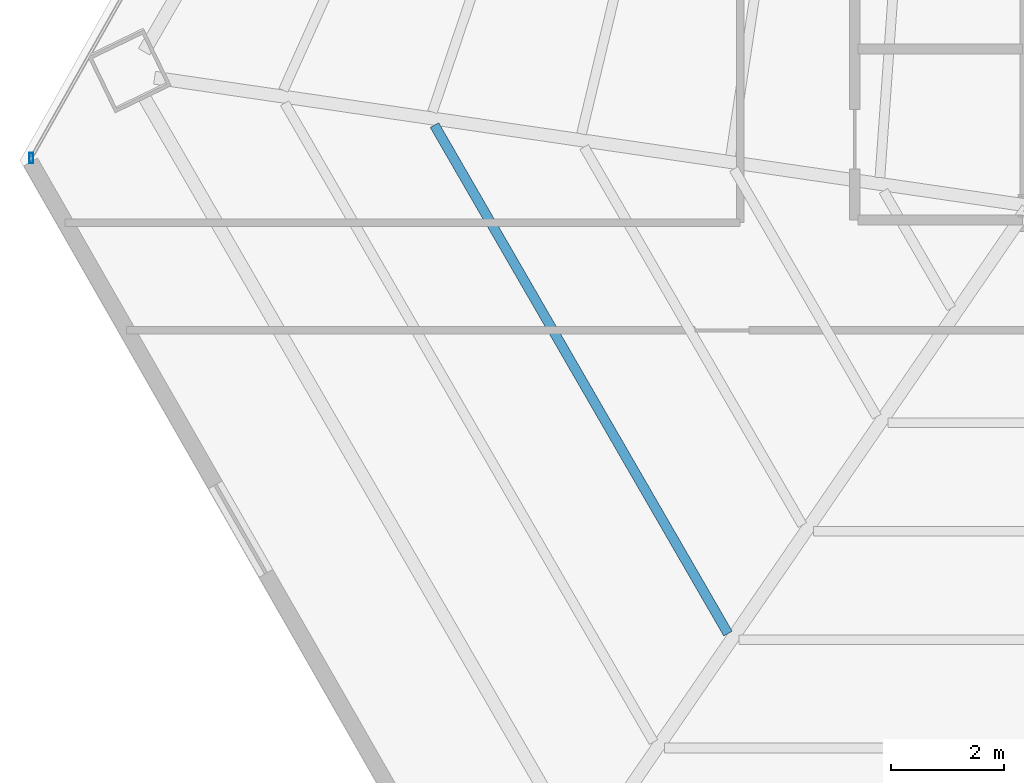
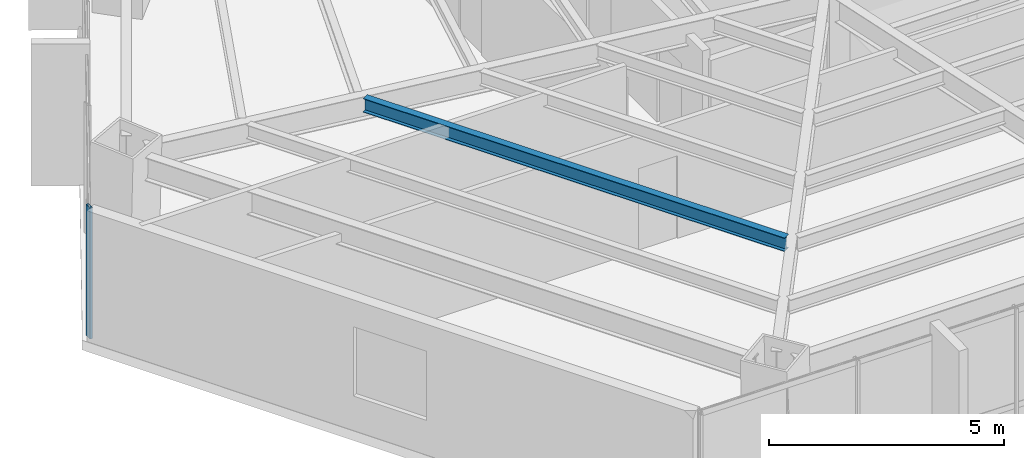
# One storey, part 6 of 36: 1 beam, 1 member, 1 element without a shape of its own.
"""IFC4 building model written with IfcOpenShell, lengths in metres."""

from ifc_helpers import new_model, si_unit, direction, frame, origin, origin_2d, place, context, subcontext, project, spatial, hollow_rectangle, i_section, extrude, source, transform, mapped, material, material_profile, profile_set, type_object, type_shapes, element, aggregate, save


model = new_model("IFC4")

# Units and contexts
model_context = context("Model", 3, precision=1e-05, world=origin(), true_north=direction((0.0, 1.0)))
body_context = subcontext(model_context, "Body", "Model", "MODEL_VIEW")
ifc_project = project(units=[si_unit("LENGTHUNIT", "METRE"), si_unit("AREAUNIT", "SQUARE_METRE"), si_unit("VOLUMEUNIT", "CUBIC_METRE"), si_unit("PLANEANGLEUNIT", "RADIAN"), si_unit("MASSUNIT", "GRAM", prefix="KILO")], contexts=[model_context])

# Site, building, storey
site_placement = place(None, origin())
site = spatial("IfcSite", under=ifc_project, at=site_placement, CompositionType="ELEMENT")
building_placement = place(site_placement, origin())
building = spatial("IfcBuilding", under=site, at=building_placement, Name="Caelisora Broadcast Tower", CompositionType="ELEMENT")
storey_placement = place(building_placement, frame((0.0, 0.0, 79.85009765625)))
storey = spatial("IfcBuildingStorey", under=building, at=storey_placement, Name="L20", CompositionType="ELEMENT", Elevation=79.85009765625)

# Beam
ifc_material_1 = material(Name="Steel Grade 350 (AS/NZS 3679.1)", Category="steel")
ifc_material_profile_1 = material_profile(ifc_material_1, i_section(OverallWidth=0.172119140625, OverallDepth=0.358642578125, WebThickness=0.008056640625, FlangeThickness=0.012939453125, at=origin_2d()), Name="Steel Grade 350 (AS/NZS 3679.1)")
ifc_profile_set_1 = profile_set([ifc_material_profile_1], Name="Steel Grade 350 (AS/NZS 3679.1)")
beam_type = type_object("IfcBeamType", Name="SB02", PredefinedType="JOIST", material=ifc_profile_set_1)
shared_shape_1 = source(origin(), body_context, "Body", "SweptSolid", [
    extrude(i_section(OverallWidth=0.172119140625, OverallDepth=0.358642578125, WebThickness=0.008056640625, FlangeThickness=0.012939453125, at=origin_2d()), origin(), (0.0, 0.0, 1.0), 10.369140625),
])
type_shapes(beam_type, [shared_shape_1])
beam_placement = place(storey_placement, frame((19.996826171875, 18.824951171875, 3.220703125), z_axis=(0.499998276493, -0.866026398849, 0.0), x_axis=(0.866026398849, 0.499998276493, 0.0)))
element("IfcBeam", 1, at=beam_placement, inside=storey, type_object=beam_type, Name="L20 beam SB02", PredefinedType="JOIST", context=body_context, shape_type="MappedRepresentation", body=[
    mapped(shared_shape_1, transform((0.0, 0.0, 0.0), scale=1.0)),
])

# Curtain wall, member
ifc_material_2 = material(Name="Unitised Aluminium and Low-E Glass Curtain Wall", Category="glass")
curtain_wall_type = type_object("IfcCurtainWallType", Name="CW-Z2", PredefinedType="NOTDEFINED", material=ifc_material_2)
curtain_wall_placement = place(storey_placement, origin())
curtain_wall = element("IfcCurtainWall", 2, at=curtain_wall_placement, inside=storey, type_object=curtain_wall_type, Name="L20 curtain wall CW-Z2", PredefinedType="NOTDEFINED")
ifc_material_3 = material(Name="Aluminium 6063-T6 Anodised Terracotta Bronze", Category="aluminium")
ifc_material_profile_2 = material_profile(ifc_material_3, hollow_rectangle(XDim=0.06494140625, YDim=0.179931640625, WallThickness=0.00341796875, at=origin_2d()), Name="Aluminium 6063-T6 Anodised Terracotta Bronze")
ifc_profile_set_2 = profile_set([ifc_material_profile_2], Name="Aluminium 6063-T6 Anodised Terracotta Bronze")
member_type = type_object("IfcMemberType", Name="CWM-02", PredefinedType="MULLION", material=ifc_profile_set_2)
shared_shape_2 = source(origin(), body_context, "Body", "SweptSolid", [
    extrude(hollow_rectangle(XDim=0.06494140625, YDim=0.179931640625, WallThickness=0.00341796875, at=origin_2d()), origin(), (0.0, 0.0, 1.0), 3.39990234375),
])
type_shapes(member_type, [shared_shape_2])
member_placement = place(storey_placement, frame((12.87548828125, 18.243408203125, 0.0), z_axis=(0.0, 0.0, 1.0), x_axis=(1.0, 0.0, 0.0)))
member = element("IfcMember", 3, at=member_placement, type_object=member_type, Name="L20-CW-B09 mullion #0", PredefinedType="MULLION", context=body_context, shape_type="MappedRepresentation", body=[
    mapped(shared_shape_2, transform((0.0, 0.0, 0.0), scale=1.0)),
])
aggregate(curtain_wall, [member])

save(model, "model.ifc")
